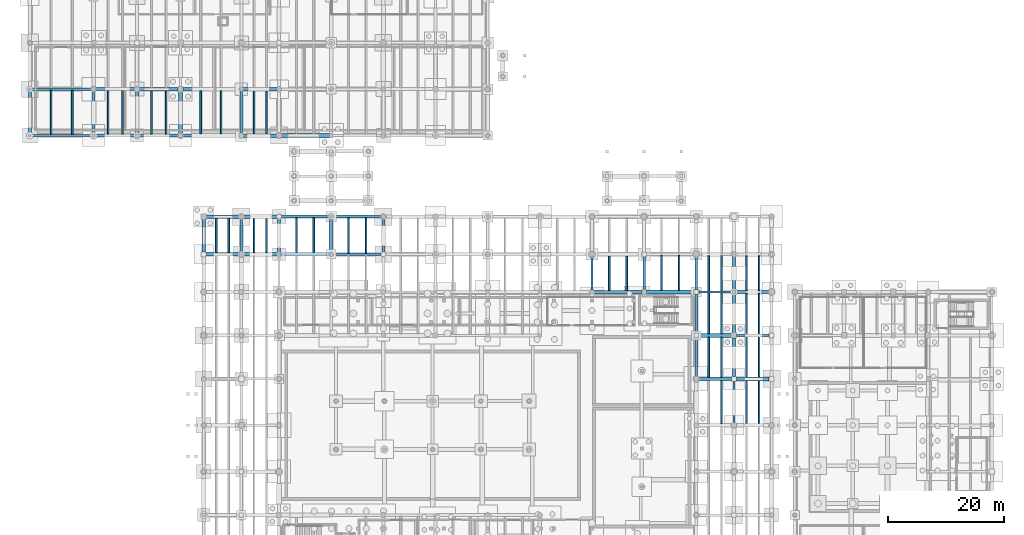
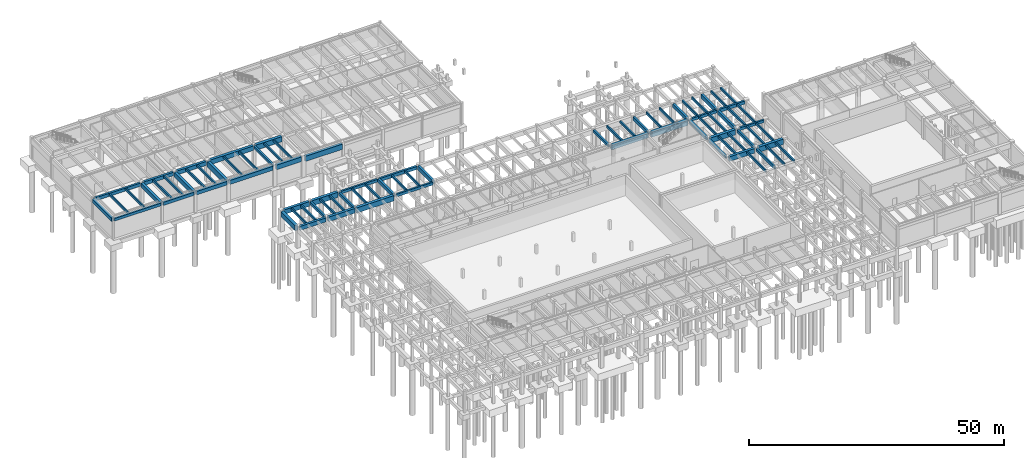
# One storey, part 23 of 36: 83 beams.
"""IFC4 building model written with IfcOpenShell, lengths in metres."""

from ifc_helpers import new_model, si_unit, direction, frame, origin, origin_2d, place, context, subcontext, project, spatial, rectangle, extrude, material, material_profile, profile_set, type_object, element, save


model = new_model("IFC4")

# Units and contexts
model_context = context("Model", 3, precision=1e-05, world=origin(), true_north=direction((0.0, 1.0)))
body_context = subcontext(model_context, "Body", "Model", "MODEL_VIEW")
ifc_project = project(units=[si_unit("LENGTHUNIT", "METRE"), si_unit("AREAUNIT", "SQUARE_METRE"), si_unit("VOLUMEUNIT", "CUBIC_METRE"), si_unit("PLANEANGLEUNIT", "RADIAN"), si_unit("MASSUNIT", "GRAM", prefix="KILO"), si_unit("THERMODYNAMICTEMPERATUREUNIT", "KELVIN"), si_unit("POWERUNIT", "WATT")], contexts=[model_context])

# Site, building, storey
site_placement = place(None, origin())
site = spatial("IfcSite", under=ifc_project, at=site_placement, CompositionType="ELEMENT")
building_placement = place(site_placement, origin())
building = spatial("IfcBuilding", under=site, at=building_placement, Name="Tepalcoro Natatorium and Aquatics Centre", CompositionType="ELEMENT")
storey_placement = place(building_placement, frame((0.0, 0.0, -5.199951171875)))
storey = spatial("IfcBuildingStorey", under=building, at=storey_placement, Name="B1", CompositionType="ELEMENT", Elevation=-5.199951171875)

# Beams
ifc_material = material(Name="Concrete C40/50 (fc 40 MPa)", Category="concrete")
ifc_material_profile_1 = material_profile(ifc_material, rectangle(XDim=0.39990234375, YDim=0.64990234375, at=origin_2d()), Name="RCB400x650")
ifc_profile_set_1 = profile_set([ifc_material_profile_1], Name="Concrete C40/50 (fc 40 MPa)")
beam_type_1 = type_object("IfcBeamType", Name="BM_RC_400x650", PredefinedType="BEAM", material=ifc_profile_set_1)
beam_1_placement = place(storey_placement, frame((131.9599609375, 51.5, 4.579833984375), z_axis=(1.0, 0.0, 0.0), x_axis=(0.0, 1.0, 0.0)))
element("IfcBeam", 1, at=beam_1_placement, inside=storey, type_object=beam_type_1, Name="V1 B1 Grid Girder X", PredefinedType="BEAM", context=body_context, shape_type="SweptSolid", body=[
    extrude(rectangle(XDim=0.39990234375, YDim=0.64990234375, at=origin_2d()), origin(), (0.0, 0.0, 1.0), 5.60498046875),
])
beam_2_placement = place(storey_placement, frame((125.43505859375, 59.0, 4.579833984375), z_axis=(1.0, 0.0, 0.0), x_axis=(0.0, 1.0, 0.0)))
element("IfcBeam", 2, at=beam_2_placement, inside=storey, type_object=beam_type_1, Name="V1 B1 Grid Girder X", PredefinedType="BEAM", context=body_context, shape_type="SweptSolid", body=[
    extrude(rectangle(XDim=0.39990234375, YDim=0.64990234375, at=origin_2d()), origin(), (0.0, 0.0, 1.0), 5.829833984375),
])
beam_3_placement = place(storey_placement, frame((62.3349609375, 65.5, 4.579833984375), z_axis=(1.0, 0.0, 0.0), x_axis=(0.0, 1.0, 0.0)))
element("IfcBeam", 3, at=beam_3_placement, inside=storey, type_object=beam_type_1, Name="V1 B1 Grid Girder X", PredefinedType="BEAM", context=body_context, shape_type="SweptSolid", body=[
    extrude(rectangle(XDim=0.39990234375, YDim=0.64990234375, at=origin_2d()), origin(), (0.0, 0.0, 1.0), 8.22998046875),
])
beam_4_placement = place(storey_placement, frame((53.284912109375, 72.0, 4.43994140625), z_axis=(1.0, 0.0, 0.0), x_axis=(0.0, 1.0, 0.0)))
element("IfcBeam", 4, at=beam_4_placement, inside=storey, type_object=beam_type_1, Name="V1 B1 Grid Girder X", PredefinedType="BEAM", context=body_context, shape_type="SweptSolid", body=[
    extrude(rectangle(XDim=0.39990234375, YDim=0.64990234375, at=origin_2d()), origin(), (0.0, 0.0, 1.0), 8.47998046875),
])
beam_5_placement = place(storey_placement, frame((46.5, 65.93505859375, 4.579833984375), z_axis=(0.0, 1.0, 0.0), x_axis=(-1.0, 0.0, 0.0)))
element("IfcBeam", 5, at=beam_5_placement, inside=storey, type_object=beam_type_1, Name="V1 B1 Grid Girder Y", PredefinedType="BEAM", context=body_context, shape_type="SweptSolid", body=[
    extrude(rectangle(XDim=0.39990234375, YDim=0.64990234375, at=origin_2d()), origin(), (0.0, 0.0, 1.0), 5.72998046875),
])
beam_6_placement = place(storey_placement, frame((107.0, 59.3349609375, 4.579833984375), z_axis=(0.0, 1.0, 0.0), x_axis=(-1.0, 0.0, 0.0)))
element("IfcBeam", 6, at=beam_6_placement, inside=storey, type_object=beam_type_1, Name="V1 B1 Grid Girder Y", PredefinedType="BEAM", context=body_context, shape_type="SweptSolid", body=[
    extrude(rectangle(XDim=0.39990234375, YDim=0.64990234375, at=origin_2d()), origin(), (0.0, 0.0, 1.0), 5.804931640625),
])
beam_7_placement = place(storey_placement, frame((125.0, 44.385009765625, 4.579833984375), z_axis=(0.0, 1.0, 0.0), x_axis=(-1.0, 0.0, 0.0)))
element("IfcBeam", 7, at=beam_7_placement, inside=storey, type_object=beam_type_1, Name="V1 B1 Grid Girder Y", PredefinedType="BEAM", context=body_context, shape_type="SweptSolid", body=[
    extrude(rectangle(XDim=0.39990234375, YDim=0.64990234375, at=origin_2d()), origin(), (0.0, 0.0, 1.0), 6.705078125),
])
beam_8_placement = place(storey_placement, frame((131.5, 36.409912109375, 4.579833984375), z_axis=(0.0, 1.0, 0.0), x_axis=(-1.0, 0.0, 0.0)))
element("IfcBeam", 8, at=beam_8_placement, inside=storey, type_object=beam_type_1, Name="V1 B1 Grid Girder Y", PredefinedType="BEAM", context=body_context, shape_type="SweptSolid", body=[
    extrude(rectangle(XDim=0.39990234375, YDim=0.64990234375, at=origin_2d()), origin(), (0.0, 0.0, 1.0), 7.155029296875),
])
beam_9_placement = place(storey_placement, frame((10.18505859375, 86.0, 4.599853515625), z_axis=(1.0, 0.0, 0.0), x_axis=(0.0, 1.0, 0.0)))
element("IfcBeam", 9, at=beam_9_placement, inside=storey, type_object=beam_type_1, Name="V4 B1 Grid Girder X", PredefinedType="BEAM", context=body_context, shape_type="SweptSolid", body=[
    extrude(rectangle(XDim=0.39990234375, YDim=0.64990234375, at=origin_2d()), origin(), (0.0, 0.0, 1.0), 10.579833984375),
])
beam_10_placement = place(storey_placement, frame((46.5, 86.385009765625, 4.599853515625), z_axis=(0.0, 1.0, 0.0), x_axis=(-1.0, 0.0, 0.0)))
element("IfcBeam", 10, at=beam_10_placement, inside=storey, type_object=beam_type_1, Name="V4 B1 Grid Girder Y", PredefinedType="BEAM", context=body_context, shape_type="SweptSolid", body=[
    extrude(rectangle(XDim=0.39990234375, YDim=0.64990234375, at=origin_2d()), origin(), (0.0, 0.0, 1.0), 7.280029296875),
])
ifc_material_profile_2 = material_profile(ifc_material, rectangle(XDim=0.449951171875, YDim=0.75, at=origin_2d()), Name="RCB450x750")
ifc_profile_set_2 = profile_set([ifc_material_profile_2], Name="Concrete C40/50 (fc 40 MPa)")
beam_type_2 = type_object("IfcBeamType", Name="BM_RC_450x750", PredefinedType="BEAM", material=ifc_profile_set_2)
beam_11_placement = place(storey_placement, frame((131.735107421875, 59.0, 4.530029296875), z_axis=(1.0, 0.0, 0.0), x_axis=(0.0, 1.0, 0.0)))
element("IfcBeam", 11, at=beam_11_placement, inside=storey, type_object=beam_type_2, Name="V1 B1 Grid Girder X", PredefinedType="BEAM", context=body_context, shape_type="SweptSolid", body=[
    extrude(rectangle(XDim=0.449951171875, YDim=0.75, at=origin_2d()), origin(), (0.0, 0.0, 1.0), 5.804931640625),
])
beam_12_placement = place(storey_placement, frame((62.235107421875, 72.0, 4.389892578125), z_axis=(1.0, 0.0, 0.0), x_axis=(0.0, 1.0, 0.0)))
element("IfcBeam", 12, at=beam_12_placement, inside=storey, type_object=beam_type_2, Name="V1 B1 Grid Girder X", PredefinedType="BEAM", context=body_context, shape_type="SweptSolid", body=[
    extrude(rectangle(XDim=0.449951171875, YDim=0.75, at=origin_2d()), origin(), (0.0, 0.0, 1.0), 8.429931640625),
])
beam_13_placement = place(storey_placement, frame((53.0, 65.735107421875, 4.530029296875), z_axis=(0.0, 1.0, 0.0), x_axis=(-1.0, 0.0, 0.0)))
element("IfcBeam", 13, at=beam_13_placement, inside=storey, type_object=beam_type_2, Name="V1 B1 Grid Girder Y", PredefinedType="BEAM", context=body_context, shape_type="SweptSolid", body=[
    extrude(rectangle(XDim=0.449951171875, YDim=0.75, at=origin_2d()), origin(), (0.0, 0.0, 1.0), 5.829833984375),
])
beam_14_placement = place(storey_placement, frame((116.0, 59.385009765625, 4.530029296875), z_axis=(0.0, 1.0, 0.0), x_axis=(-1.0, 0.0, 0.0)))
element("IfcBeam", 14, at=beam_14_placement, inside=storey, type_object=beam_type_2, Name="V1 B1 Grid Girder Y", PredefinedType="BEAM", context=body_context, shape_type="SweptSolid", body=[
    extrude(rectangle(XDim=0.449951171875, YDim=0.75, at=origin_2d()), origin(), (0.0, 0.0, 1.0), 5.705078125),
])
beam_15_placement = place(storey_placement, frame((125.0, 51.909912109375, 4.530029296875), z_axis=(0.0, 1.0, 0.0), x_axis=(-1.0, 0.0, 0.0)))
element("IfcBeam", 15, at=beam_15_placement, inside=storey, type_object=beam_type_2, Name="V1 B1 Grid Girder Y", PredefinedType="BEAM", context=body_context, shape_type="SweptSolid", body=[
    extrude(rectangle(XDim=0.449951171875, YDim=0.75, at=origin_2d()), origin(), (0.0, 0.0, 1.0), 6.655029296875),
])
beam_16_placement = place(storey_placement, frame((131.5, 44.43505859375, 4.530029296875), z_axis=(0.0, 1.0, 0.0), x_axis=(-1.0, 0.0, 0.0)))
element("IfcBeam", 16, at=beam_16_placement, inside=storey, type_object=beam_type_2, Name="V1 B1 Grid Girder Y", PredefinedType="BEAM", context=body_context, shape_type="SweptSolid", body=[
    extrude(rectangle(XDim=0.449951171875, YDim=0.75, at=origin_2d()), origin(), (0.0, 0.0, 1.0), 6.60498046875),
])
beam_17_placement = place(storey_placement, frame((21.235107421875, 86.0, 4.550048828125), z_axis=(1.0, 0.0, 0.0), x_axis=(0.0, 1.0, 0.0)))
element("IfcBeam", 17, at=beam_17_placement, inside=storey, type_object=beam_type_2, Name="V4 B1 Grid Girder X", PredefinedType="BEAM", context=body_context, shape_type="SweptSolid", body=[
    extrude(rectangle(XDim=0.449951171875, YDim=0.75, at=origin_2d()), origin(), (0.0, 0.0, 1.0), 6.97998046875),
])
beam_18_placement = place(storey_placement, frame((10.2099609375, 94.0, 4.550048828125), z_axis=(1.0, 0.0, 0.0), x_axis=(0.0, 1.0, 0.0)))
element("IfcBeam", 18, at=beam_18_placement, inside=storey, type_object=beam_type_2, Name="V4 B1 Grid Girder X", PredefinedType="BEAM", context=body_context, shape_type="SweptSolid", body=[
    extrude(rectangle(XDim=0.449951171875, YDim=0.75, at=origin_2d()), origin(), (0.0, 0.0, 1.0), 10.455078125),
])
ifc_material_profile_3 = material_profile(ifc_material, rectangle(XDim=0.5, YDim=0.85009765625, at=origin_2d()), Name="RCB500x850")
ifc_profile_set_3 = profile_set([ifc_material_profile_3], Name="Concrete C40/50 (fc 40 MPa)")
beam_type_3 = type_object("IfcBeamType", Name="BM_RC_500x850", PredefinedType="BEAM", material=ifc_profile_set_3)
beam_19_placement = place(storey_placement, frame((62.0, 65.8349609375, 4.47998046875), z_axis=(0.0, 1.0, 0.0), x_axis=(-1.0, 0.0, 0.0)))
element("IfcBeam", 19, at=beam_19_placement, inside=storey, type_object=beam_type_3, Name="V1 B1 Grid Girder Y", PredefinedType="BEAM", context=body_context, shape_type="SweptSolid", body=[
    extrude(rectangle(XDim=0.5, YDim=0.85009765625, at=origin_2d()), origin(), (0.0, 0.0, 1.0), 5.929931640625),
])
beam_20_placement = place(storey_placement, frame((125.0, 59.43505859375, 4.47998046875), z_axis=(0.0, 1.0, 0.0), x_axis=(-1.0, 0.0, 0.0)))
element("IfcBeam", 20, at=beam_20_placement, inside=storey, type_object=beam_type_3, Name="V1 B1 Grid Girder Y", PredefinedType="BEAM", context=body_context, shape_type="SweptSolid", body=[
    extrude(rectangle(XDim=0.5, YDim=0.85009765625, at=origin_2d()), origin(), (0.0, 0.0, 1.0), 5.60498046875),
])
beam_21_placement = place(storey_placement, frame((131.5, 51.9599609375, 4.47998046875), z_axis=(0.0, 1.0, 0.0), x_axis=(-1.0, 0.0, 0.0)))
element("IfcBeam", 21, at=beam_21_placement, inside=storey, type_object=beam_type_3, Name="V1 B1 Grid Girder Y", PredefinedType="BEAM", context=body_context, shape_type="SweptSolid", body=[
    extrude(rectangle(XDim=0.5, YDim=0.85009765625, at=origin_2d()), origin(), (0.0, 0.0, 1.0), 6.705078125),
])
beam_22_placement = place(storey_placement, frame((28.784912109375, 86.0, 4.5), z_axis=(1.0, 0.0, 0.0), x_axis=(0.0, 1.0, 0.0)))
element("IfcBeam", 22, at=beam_22_placement, inside=storey, type_object=beam_type_3, Name="V4 B1 Grid Girder X", PredefinedType="BEAM", context=body_context, shape_type="SweptSolid", body=[
    extrude(rectangle(XDim=0.5, YDim=0.85009765625, at=origin_2d()), origin(), (0.0, 0.0, 1.0), 6.880126953125),
])
beam_23_placement = place(storey_placement, frame((21.3349609375, 94.0, 4.5), z_axis=(1.0, 0.0, 0.0), x_axis=(0.0, 1.0, 0.0)))
element("IfcBeam", 23, at=beam_23_placement, inside=storey, type_object=beam_type_3, Name="V4 B1 Grid Girder X", PredefinedType="BEAM", context=body_context, shape_type="SweptSolid", body=[
    extrude(rectangle(XDim=0.5, YDim=0.85009765625, at=origin_2d()), origin(), (0.0, 0.0, 1.0), 6.780029296875),
])
beam_24_placement = place(storey_placement, frame((10.0, 86.18505859375, 4.5), z_axis=(0.0, 1.0, 0.0), x_axis=(-1.0, 0.0, 0.0)))
element("IfcBeam", 24, at=beam_24_placement, inside=storey, type_object=beam_type_3, Name="V4 B1 Grid Girder Y", PredefinedType="BEAM", context=body_context, shape_type="SweptSolid", body=[
    extrude(rectangle(XDim=0.5, YDim=0.85009765625, at=origin_2d()), origin(), (0.0, 0.0, 1.0), 7.60498046875),
])
ifc_material_profile_4 = material_profile(ifc_material, rectangle(XDim=0.550048828125, YDim=0.949951171875, at=origin_2d()), Name="RCB550x950")
ifc_profile_set_4 = profile_set([ifc_material_profile_4], Name="Concrete C40/50 (fc 40 MPa)")
beam_type_4 = type_object("IfcBeamType", Name="BM_RC_550x950", PredefinedType="BEAM", material=ifc_profile_set_4)
beam_25_placement = place(storey_placement, frame((40.409912109375, 65.5, 4.429931640625), z_axis=(1.0, 0.0, 0.0), x_axis=(0.0, 1.0, 0.0)))
element("IfcBeam", 25, at=beam_25_placement, inside=storey, type_object=beam_type_4, Name="V1 B1 Grid Girder X", PredefinedType="BEAM", context=body_context, shape_type="SweptSolid", body=[
    extrude(rectangle(XDim=0.550048828125, YDim=0.949951171875, at=origin_2d()), origin(), (0.0, 0.0, 1.0), 5.80517578125),
])
beam_26_placement = place(storey_placement, frame((71.0, 65.93505859375, 4.429931640625), z_axis=(0.0, 1.0, 0.0), x_axis=(-1.0, 0.0, 0.0)))
element("IfcBeam", 26, at=beam_26_placement, inside=storey, type_object=beam_type_4, Name="V1 B1 Grid Girder Y", PredefinedType="BEAM", context=body_context, shape_type="SweptSolid", body=[
    extrude(rectangle(XDim=0.550048828125, YDim=0.949951171875, at=origin_2d()), origin(), (0.0, 0.0, 1.0), 5.72998046875),
])
beam_27_placement = place(storey_placement, frame((131.5, 59.3349609375, 4.429931640625), z_axis=(0.0, 1.0, 0.0), x_axis=(-1.0, 0.0, 0.0)))
element("IfcBeam", 27, at=beam_27_placement, inside=storey, type_object=beam_type_4, Name="V1 B1 Grid Girder Y", PredefinedType="BEAM", context=body_context, shape_type="SweptSolid", body=[
    extrude(rectangle(XDim=0.550048828125, YDim=0.949951171875, at=origin_2d()), origin(), (0.0, 0.0, 1.0), 5.780029296875),
])
beam_28_placement = place(storey_placement, frame((36.3349609375, 86.0, 4.449951171875), z_axis=(1.0, 0.0, 0.0), x_axis=(0.0, 1.0, 0.0)))
element("IfcBeam", 28, at=beam_28_placement, inside=storey, type_object=beam_type_4, Name="V4 B1 Grid Girder X", PredefinedType="BEAM", context=body_context, shape_type="SweptSolid", body=[
    extrude(rectangle(XDim=0.550048828125, YDim=0.949951171875, at=origin_2d()), origin(), (0.0, 0.0, 1.0), 9.780029296875),
])
beam_29_placement = place(storey_placement, frame((28.885009765625, 94.0, 4.449951171875), z_axis=(1.0, 0.0, 0.0), x_axis=(0.0, 1.0, 0.0)))
element("IfcBeam", 29, at=beam_29_placement, inside=storey, type_object=beam_type_4, Name="V4 B1 Grid Girder X", PredefinedType="BEAM", context=body_context, shape_type="SweptSolid", body=[
    extrude(rectangle(XDim=0.550048828125, YDim=0.949951171875, at=origin_2d()), origin(), (0.0, 0.0, 1.0), 6.679931640625),
])
beam_30_placement = place(storey_placement, frame((21.0, 86.235107421875, 4.449951171875), z_axis=(0.0, 1.0, 0.0), x_axis=(-1.0, 0.0, 0.0)))
element("IfcBeam", 30, at=beam_30_placement, inside=storey, type_object=beam_type_4, Name="V4 B1 Grid Girder Y", PredefinedType="BEAM", context=body_context, shape_type="SweptSolid", body=[
    extrude(rectangle(XDim=0.550048828125, YDim=0.949951171875, at=origin_2d()), origin(), (0.0, 0.0, 1.0), 7.429931640625),
])
ifc_material_profile_5 = material_profile(ifc_material, rectangle(XDim=0.60009765625, YDim=1.10009765625, at=origin_2d()), Name="RCB600x1100")
ifc_profile_set_5 = profile_set([ifc_material_profile_5], Name="Concrete C40/50 (fc 40 MPa)")
beam_type_5 = type_object("IfcBeamType", Name="BM_RC_600x1100", PredefinedType="BEAM", material=ifc_profile_set_5)
beam_31_placement = place(storey_placement, frame((125.385009765625, 44.0, 4.35498046875), z_axis=(1.0, 0.0, 0.0), x_axis=(0.0, 1.0, 0.0)))
element("IfcBeam", 31, at=beam_31_placement, inside=storey, type_object=beam_type_5, Name="V1 B1 Grid Girder X", PredefinedType="BEAM", context=body_context, shape_type="SweptSolid", body=[
    extrude(rectangle(XDim=0.60009765625, YDim=1.10009765625, at=origin_2d()), origin(), (0.0, 0.0, 1.0), 5.679931640625),
])
beam_32_placement = place(storey_placement, frame((107.3349609375, 59.0, 4.35498046875), z_axis=(1.0, 0.0, 0.0), x_axis=(0.0, 1.0, 0.0)))
element("IfcBeam", 32, at=beam_32_placement, inside=storey, type_object=beam_type_5, Name="V1 B1 Grid Girder X", PredefinedType="BEAM", context=body_context, shape_type="SweptSolid", body=[
    extrude(rectangle(XDim=0.60009765625, YDim=1.10009765625, at=origin_2d()), origin(), (0.0, 0.0, 1.0), 8.280029296875),
])
beam_33_placement = place(storey_placement, frame((46.784912109375, 65.5, 4.35498046875), z_axis=(1.0, 0.0, 0.0), x_axis=(0.0, 1.0, 0.0)))
element("IfcBeam", 33, at=beam_33_placement, inside=storey, type_object=beam_type_5, Name="V1 B1 Grid Girder X", PredefinedType="BEAM", context=body_context, shape_type="SweptSolid", body=[
    extrude(rectangle(XDim=0.60009765625, YDim=1.10009765625, at=origin_2d()), origin(), (0.0, 0.0, 1.0), 5.97998046875),
])
beam_34_placement = place(storey_placement, frame((40.43505859375, 72.0, 4.35498046875), z_axis=(1.0, 0.0, 0.0), x_axis=(0.0, 1.0, 0.0)))
element("IfcBeam", 34, at=beam_34_placement, inside=storey, type_object=beam_type_5, Name="V1 B1 Grid Girder X", PredefinedType="BEAM", context=body_context, shape_type="SweptSolid", body=[
    extrude(rectangle(XDim=0.60009765625, YDim=1.10009765625, at=origin_2d()), origin(), (0.0, 0.0, 1.0), 5.829833984375),
])
beam_35_placement = place(storey_placement, frame((46.885009765625, 86.0, 4.375), z_axis=(1.0, 0.0, 0.0), x_axis=(0.0, 1.0, 0.0)))
element("IfcBeam", 35, at=beam_35_placement, inside=storey, type_object=beam_type_5, Name="V4 B1 Grid Girder X", PredefinedType="BEAM", context=body_context, shape_type="SweptSolid", body=[
    extrude(rectangle(XDim=0.60009765625, YDim=1.10009765625, at=origin_2d()), origin(), (0.0, 0.0, 1.0), 5.679931640625),
])
beam_36_placement = place(storey_placement, frame((36.43505859375, 94.0, 4.375), z_axis=(1.0, 0.0, 0.0), x_axis=(0.0, 1.0, 0.0)))
element("IfcBeam", 36, at=beam_36_placement, inside=storey, type_object=beam_type_5, Name="V4 B1 Grid Girder X", PredefinedType="BEAM", context=body_context, shape_type="SweptSolid", body=[
    extrude(rectangle(XDim=0.60009765625, YDim=1.10009765625, at=origin_2d()), origin(), (0.0, 0.0, 1.0), 9.829833984375),
])
beam_37_placement = place(storey_placement, frame((28.5, 86.284912109375, 4.375), z_axis=(0.0, 1.0, 0.0), x_axis=(-1.0, 0.0, 0.0)))
element("IfcBeam", 37, at=beam_37_placement, inside=storey, type_object=beam_type_5, Name="V4 B1 Grid Girder Y", PredefinedType="BEAM", context=body_context, shape_type="SweptSolid", body=[
    extrude(rectangle(XDim=0.60009765625, YDim=1.10009765625, at=origin_2d()), origin(), (0.0, 0.0, 1.0), 7.330078125),
])
ifc_material_profile_6 = material_profile(ifc_material, rectangle(XDim=0.64990234375, YDim=1.25, at=origin_2d()), Name="RCB650x1250")
ifc_profile_set_6 = profile_set([ifc_material_profile_6], Name="Concrete C40/50 (fc 40 MPa)")
beam_type_6 = type_object("IfcBeamType", Name="BM_RC_650x1250", PredefinedType="BEAM", material=ifc_profile_set_6)
beam_38_placement = place(storey_placement, frame((131.93505859375, 44.0, 4.280029296875), z_axis=(1.0, 0.0, 0.0), x_axis=(0.0, 1.0, 0.0)))
element("IfcBeam", 38, at=beam_38_placement, inside=storey, type_object=beam_type_6, Name="V1 B1 Grid Girder X", PredefinedType="BEAM", context=body_context, shape_type="SweptSolid", body=[
    extrude(rectangle(XDim=0.64990234375, YDim=1.25, at=origin_2d()), origin(), (0.0, 0.0, 1.0), 5.655029296875),
])
beam_39_placement = place(storey_placement, frame((125.409912109375, 51.5, 4.280029296875), z_axis=(1.0, 0.0, 0.0), x_axis=(0.0, 1.0, 0.0)))
element("IfcBeam", 39, at=beam_39_placement, inside=storey, type_object=beam_type_6, Name="V1 B1 Grid Girder X", PredefinedType="BEAM", context=body_context, shape_type="SweptSolid", body=[
    extrude(rectangle(XDim=0.64990234375, YDim=1.25, at=origin_2d()), origin(), (0.0, 0.0, 1.0), 5.630126953125),
])
beam_40_placement = place(storey_placement, frame((116.385009765625, 59.0, 4.280029296875), z_axis=(1.0, 0.0, 0.0), x_axis=(0.0, 1.0, 0.0)))
element("IfcBeam", 40, at=beam_40_placement, inside=storey, type_object=beam_type_6, Name="V1 B1 Grid Girder X", PredefinedType="BEAM", context=body_context, shape_type="SweptSolid", body=[
    extrude(rectangle(XDim=0.64990234375, YDim=1.25, at=origin_2d()), origin(), (0.0, 0.0, 1.0), 8.179931640625),
])
beam_41_placement = place(storey_placement, frame((53.235107421875, 65.5, 4.280029296875), z_axis=(1.0, 0.0, 0.0), x_axis=(0.0, 1.0, 0.0)))
element("IfcBeam", 41, at=beam_41_placement, inside=storey, type_object=beam_type_6, Name="V1 B1 Grid Girder X", PredefinedType="BEAM", context=body_context, shape_type="SweptSolid", body=[
    extrude(rectangle(XDim=0.64990234375, YDim=1.25, at=origin_2d()), origin(), (0.0, 0.0, 1.0), 8.429931640625),
])
beam_42_placement = place(storey_placement, frame((46.735107421875, 72.0, 4.280029296875), z_axis=(1.0, 0.0, 0.0), x_axis=(0.0, 1.0, 0.0)))
element("IfcBeam", 42, at=beam_42_placement, inside=storey, type_object=beam_type_6, Name="V1 B1 Grid Girder X", PredefinedType="BEAM", context=body_context, shape_type="SweptSolid", body=[
    extrude(rectangle(XDim=0.64990234375, YDim=1.25, at=origin_2d()), origin(), (0.0, 0.0, 1.0), 5.97998046875),
])
beam_43_placement = place(storey_placement, frame((40.0, 65.909912109375, 4.280029296875), z_axis=(0.0, 1.0, 0.0), x_axis=(-1.0, 0.0, 0.0)))
element("IfcBeam", 43, at=beam_43_placement, inside=storey, type_object=beam_type_6, Name="V1 B1 Grid Girder Y", PredefinedType="BEAM", context=body_context, shape_type="SweptSolid", body=[
    extrude(rectangle(XDim=0.64990234375, YDim=1.25, at=origin_2d()), origin(), (0.0, 0.0, 1.0), 5.655029296875),
])
beam_44_placement = place(storey_placement, frame((53.43505859375, 86.0, 4.139892578125), z_axis=(1.0, 0.0, 0.0), x_axis=(0.0, 1.0, 0.0)))
element("IfcBeam", 44, at=beam_44_placement, inside=storey, type_object=beam_type_6, Name="V4 B1 Grid Girder X", PredefinedType="BEAM", context=body_context, shape_type="SweptSolid", body=[
    extrude(rectangle(XDim=0.64990234375, YDim=1.25, at=origin_2d()), origin(), (0.0, 0.0, 1.0), 8.329833984375),
])
beam_45_placement = place(storey_placement, frame((46.735107421875, 94.0, 4.300048828125), z_axis=(1.0, 0.0, 0.0), x_axis=(0.0, 1.0, 0.0)))
element("IfcBeam", 45, at=beam_45_placement, inside=storey, type_object=beam_type_6, Name="V4 B1 Grid Girder X", PredefinedType="BEAM", context=body_context, shape_type="SweptSolid", body=[
    extrude(rectangle(XDim=0.64990234375, YDim=1.25, at=origin_2d()), origin(), (0.0, 0.0, 1.0), 5.97998046875),
])
beam_46_placement = place(storey_placement, frame((36.0, 86.3349609375, 4.300048828125), z_axis=(0.0, 1.0, 0.0), x_axis=(-1.0, 0.0, 0.0)))
element("IfcBeam", 46, at=beam_46_placement, inside=storey, type_object=beam_type_6, Name="V4 B1 Grid Girder Y", PredefinedType="BEAM", context=body_context, shape_type="SweptSolid", body=[
    extrude(rectangle(XDim=0.64990234375, YDim=1.25, at=origin_2d()), origin(), (0.0, 0.0, 1.0), 7.22998046875),
])
ifc_material_profile_7 = material_profile(ifc_material, rectangle(XDim=0.300048828125, YDim=0.550048828125, at=origin_2d()), Name="RCJ300x550")
ifc_profile_set_7 = profile_set([ifc_material_profile_7], Name="Concrete C40/50 (fc 40 MPa)")
beam_type_7 = type_object("IfcBeamType", Name="JS_RC_300x550", PredefinedType="JOIST", material=ifc_profile_set_7)
for number, where, z_axis, x_axis, name in (
    (47, (42.166748046875, 65.77490234375, 4.6298828125), (0.0, 1.0, 0.0), (-1.0, 0.0, 0.0), "V1 B1 Floor Joist"),
    (48, (44.333251953125, 65.77490234375, 4.6298828125), (0.0, 1.0, 0.0), (-1.0, 0.0, 0.0), "V1 B1 Floor Joist"),
):
    element("IfcBeam", number, at=place(storey_placement, frame(where, z_axis=z_axis, x_axis=x_axis)), inside=storey, type_object=beam_type_7, Name=name, PredefinedType="JOIST", context=body_context, shape_type="SweptSolid", body=[
        extrude(rectangle(XDim=0.300048828125, YDim=0.550048828125, at=origin_2d()), origin(), (0.0, 0.0, 1.0), 5.925048828125),
    ])
for number, where, z_axis, x_axis, name in (
    (49, (48.666748046875, 65.800048828125, 4.6298828125), (0.0, 1.0, 0.0), (-1.0, 0.0, 0.0), "V1 B1 Floor Joist"),
    (50, (50.833251953125, 65.800048828125, 4.6298828125), (0.0, 1.0, 0.0), (-1.0, 0.0, 0.0), "V1 B1 Floor Joist"),
):
    element("IfcBeam", number, at=place(storey_placement, frame(where, z_axis=z_axis, x_axis=x_axis)), inside=storey, type_object=beam_type_7, Name=name, PredefinedType="JOIST", context=body_context, shape_type="SweptSolid", body=[
        extrude(rectangle(XDim=0.300048828125, YDim=0.550048828125, at=origin_2d()), origin(), (0.0, 0.0, 1.0), 5.875),
    ])
for number, where, z_axis, x_axis, name in (
    (51, (56.0, 65.824951171875, 4.489990234375), (0.0, 1.0, 0.0), (-1.0, 0.0, 0.0), "V1 B1 Floor Joist"),
    (52, (59.0, 65.824951171875, 4.489990234375), (0.0, 1.0, 0.0), (-1.0, 0.0, 0.0), "V1 B1 Floor Joist"),
):
    element("IfcBeam", number, at=place(storey_placement, frame(where, z_axis=z_axis, x_axis=x_axis)), inside=storey, type_object=beam_type_7, Name=name, PredefinedType="JOIST", context=body_context, shape_type="SweptSolid", body=[
        extrude(rectangle(XDim=0.300048828125, YDim=0.550048828125, at=origin_2d()), origin(), (0.0, 0.0, 1.0), 5.97509765625),
    ])
for number, where, z_axis, x_axis, name in (
    (53, (65.0, 65.699951171875, 4.489990234375), (0.0, 1.0, 0.0), (-1.0, 0.0, 0.0), "V1 B1 Floor Joist"),
    (54, (68.0, 65.699951171875, 4.489990234375), (0.0, 1.0, 0.0), (-1.0, 0.0, 0.0), "V1 B1 Floor Joist"),
):
    element("IfcBeam", number, at=place(storey_placement, frame(where, z_axis=z_axis, x_axis=x_axis)), inside=storey, type_object=beam_type_7, Name=name, PredefinedType="JOIST", context=body_context, shape_type="SweptSolid", body=[
        extrude(rectangle(XDim=0.300048828125, YDim=0.550048828125, at=origin_2d()), origin(), (0.0, 0.0, 1.0), 6.074951171875),
    ])
for number, where, z_axis, x_axis, name in (
    (55, (110.0, 59.300048828125, 4.6298828125), (0.0, 1.0, 0.0), (-1.0, 0.0, 0.0), "V1 B1 Floor Joist"),
    (56, (113.0, 59.300048828125, 4.6298828125), (0.0, 1.0, 0.0), (-1.0, 0.0, 0.0), "V1 B1 Floor Joist"),
):
    element("IfcBeam", number, at=place(storey_placement, frame(where, z_axis=z_axis, x_axis=x_axis)), inside=storey, type_object=beam_type_7, Name=name, PredefinedType="JOIST", context=body_context, shape_type="SweptSolid", body=[
        extrude(rectangle(XDim=0.300048828125, YDim=0.550048828125, at=origin_2d()), origin(), (0.0, 0.0, 1.0), 5.875),
    ])
for number, where, z_axis, x_axis, name in (
    (57, (119.0, 59.324951171875, 4.6298828125), (0.0, 1.0, 0.0), (-1.0, 0.0, 0.0), "V1 B1 Floor Joist"),
    (58, (122.0, 59.324951171875, 4.6298828125), (0.0, 1.0, 0.0), (-1.0, 0.0, 0.0), "V1 B1 Floor Joist"),
):
    element("IfcBeam", number, at=place(storey_placement, frame(where, z_axis=z_axis, x_axis=x_axis)), inside=storey, type_object=beam_type_7, Name=name, PredefinedType="JOIST", context=body_context, shape_type="SweptSolid", body=[
        extrude(rectangle(XDim=0.300048828125, YDim=0.550048828125, at=origin_2d()), origin(), (0.0, 0.0, 1.0), 5.97509765625),
    ])
beam_47_placement = place(storey_placement, frame((129.333251953125, 36.27490234375, 4.6298828125), z_axis=(0.0, 1.0, 0.0), x_axis=(-1.0, 0.0, 0.0)))
element("IfcBeam", 59, at=beam_47_placement, inside=storey, type_object=beam_type_7, Name="V1 B1 Floor Joist", PredefinedType="JOIST", context=body_context, shape_type="SweptSolid", body=[
    extrude(rectangle(XDim=0.300048828125, YDim=0.550048828125, at=origin_2d()), origin(), (0.0, 0.0, 1.0), 7.425048828125),
])
for number, where, z_axis, x_axis, name in (
    (60, (127.166748046875, 44.300048828125, 4.6298828125), (0.0, 1.0, 0.0), (-1.0, 0.0, 0.0), "V1 B1 Floor Joist"),
    (61, (129.333251953125, 44.300048828125, 4.6298828125), (0.0, 1.0, 0.0), (-1.0, 0.0, 0.0), "V1 B1 Floor Joist"),
):
    element("IfcBeam", number, at=place(storey_placement, frame(where, z_axis=z_axis, x_axis=x_axis)), inside=storey, type_object=beam_type_7, Name=name, PredefinedType="JOIST", context=body_context, shape_type="SweptSolid", body=[
        extrude(rectangle(XDim=0.300048828125, YDim=0.550048828125, at=origin_2d()), origin(), (0.0, 0.0, 1.0), 6.875),
    ])
for number, where, z_axis, x_axis, name in (
    (62, (127.166748046875, 51.824951171875, 4.6298828125), (0.0, 1.0, 0.0), (-1.0, 0.0, 0.0), "V1 B1 Floor Joist"),
    (63, (129.333251953125, 51.824951171875, 4.6298828125), (0.0, 1.0, 0.0), (-1.0, 0.0, 0.0), "V1 B1 Floor Joist"),
):
    element("IfcBeam", number, at=place(storey_placement, frame(where, z_axis=z_axis, x_axis=x_axis)), inside=storey, type_object=beam_type_7, Name=name, PredefinedType="JOIST", context=body_context, shape_type="SweptSolid", body=[
        extrude(rectangle(XDim=0.300048828125, YDim=0.550048828125, at=origin_2d()), origin(), (0.0, 0.0, 1.0), 6.97509765625),
    ])
for number, where, z_axis, x_axis, name in (
    (64, (127.166748046875, 59.199951171875, 4.6298828125), (0.0, 1.0, 0.0), (-1.0, 0.0, 0.0), "V1 B1 Floor Joist"),
    (65, (129.333251953125, 59.199951171875, 4.6298828125), (0.0, 1.0, 0.0), (-1.0, 0.0, 0.0), "V1 B1 Floor Joist"),
):
    element("IfcBeam", number, at=place(storey_placement, frame(where, z_axis=z_axis, x_axis=x_axis)), inside=storey, type_object=beam_type_7, Name=name, PredefinedType="JOIST", context=body_context, shape_type="SweptSolid", body=[
        extrude(rectangle(XDim=0.300048828125, YDim=0.550048828125, at=origin_2d()), origin(), (0.0, 0.0, 1.0), 6.074951171875),
    ])
for number, where, z_axis, x_axis, name in (
    (66, (133.666748046875, 36.300048828125, 4.6298828125), (0.0, 1.0, 0.0), (-1.0, 0.0, 0.0), "V1 B1 Floor Joist"),
    (67, (135.833251953125, 36.300048828125, 4.6298828125), (0.0, 1.0, 0.0), (-1.0, 0.0, 0.0), "V1 B1 Floor Joist"),
):
    element("IfcBeam", number, at=place(storey_placement, frame(where, z_axis=z_axis, x_axis=x_axis)), inside=storey, type_object=beam_type_7, Name=name, PredefinedType="JOIST", context=body_context, shape_type="SweptSolid", body=[
        extrude(rectangle(XDim=0.300048828125, YDim=0.550048828125, at=origin_2d()), origin(), (0.0, 0.0, 1.0), 7.375),
    ])
for number, where, z_axis, x_axis, name in (
    (68, (133.666748046875, 44.324951171875, 4.6298828125), (0.0, 1.0, 0.0), (-1.0, 0.0, 0.0), "V1 B1 Floor Joist"),
    (69, (135.833251953125, 44.324951171875, 4.6298828125), (0.0, 1.0, 0.0), (-1.0, 0.0, 0.0), "V1 B1 Floor Joist"),
):
    element("IfcBeam", number, at=place(storey_placement, frame(where, z_axis=z_axis, x_axis=x_axis)), inside=storey, type_object=beam_type_7, Name=name, PredefinedType="JOIST", context=body_context, shape_type="SweptSolid", body=[
        extrude(rectangle(XDim=0.300048828125, YDim=0.550048828125, at=origin_2d()), origin(), (0.0, 0.0, 1.0), 6.97509765625),
    ])
for number, where, z_axis, x_axis, name in (
    (70, (133.666748046875, 51.699951171875, 4.6298828125), (0.0, 1.0, 0.0), (-1.0, 0.0, 0.0), "V1 B1 Floor Joist"),
    (71, (135.833251953125, 51.699951171875, 4.6298828125), (0.0, 1.0, 0.0), (-1.0, 0.0, 0.0), "V1 B1 Floor Joist"),
):
    element("IfcBeam", number, at=place(storey_placement, frame(where, z_axis=z_axis, x_axis=x_axis)), inside=storey, type_object=beam_type_7, Name=name, PredefinedType="JOIST", context=body_context, shape_type="SweptSolid", body=[
        extrude(rectangle(XDim=0.300048828125, YDim=0.550048828125, at=origin_2d()), origin(), (0.0, 0.0, 1.0), 7.074951171875),
    ])
for number, where, z_axis, x_axis, name in (
    (72, (133.666748046875, 59.22509765625, 4.6298828125), (0.0, 1.0, 0.0), (-1.0, 0.0, 0.0), "V1 B1 Floor Joist"),
    (73, (135.833251953125, 59.22509765625, 4.6298828125), (0.0, 1.0, 0.0), (-1.0, 0.0, 0.0), "V1 B1 Floor Joist"),
):
    element("IfcBeam", number, at=place(storey_placement, frame(where, z_axis=z_axis, x_axis=x_axis)), inside=storey, type_object=beam_type_7, Name=name, PredefinedType="JOIST", context=body_context, shape_type="SweptSolid", body=[
        extrude(rectangle(XDim=0.300048828125, YDim=0.550048828125, at=origin_2d()), origin(), (0.0, 0.0, 1.0), 6.02490234375),
    ])
for number, where, z_axis, x_axis, name in (
    (74, (13.666748046875, 86.199951171875, 4.64990234375), (0.0, 1.0, 0.0), (-1.0, 0.0, 0.0), "V4 B1 Floor Joist"),
    (75, (17.333251953125, 86.199951171875, 4.64990234375), (0.0, 1.0, 0.0), (-1.0, 0.0, 0.0), "V4 B1 Floor Joist"),
):
    element("IfcBeam", number, at=place(storey_placement, frame(where, z_axis=z_axis, x_axis=x_axis)), inside=storey, type_object=beam_type_7, Name=name, PredefinedType="JOIST", context=body_context, shape_type="SweptSolid", body=[
        extrude(rectangle(XDim=0.300048828125, YDim=0.550048828125, at=origin_2d()), origin(), (0.0, 0.0, 1.0), 7.574951171875),
    ])
for number, where, z_axis, x_axis, name in (
    (76, (23.5, 86.22509765625, 4.64990234375), (0.0, 1.0, 0.0), (-1.0, 0.0, 0.0), "V4 B1 Floor Joist"),
    (77, (26.0, 86.22509765625, 4.64990234375), (0.0, 1.0, 0.0), (-1.0, 0.0, 0.0), "V4 B1 Floor Joist"),
):
    element("IfcBeam", number, at=place(storey_placement, frame(where, z_axis=z_axis, x_axis=x_axis)), inside=storey, type_object=beam_type_7, Name=name, PredefinedType="JOIST", context=body_context, shape_type="SweptSolid", body=[
        extrude(rectangle(XDim=0.300048828125, YDim=0.550048828125, at=origin_2d()), origin(), (0.0, 0.0, 1.0), 7.52490234375),
    ])
for number, where, z_axis, x_axis, name in (
    (78, (31.0, 86.25, 4.64990234375), (0.0, 1.0, 0.0), (-1.0, 0.0, 0.0), "V4 B1 Floor Joist"),
    (79, (33.5, 86.25, 4.64990234375), (0.0, 1.0, 0.0), (-1.0, 0.0, 0.0), "V4 B1 Floor Joist"),
):
    element("IfcBeam", number, at=place(storey_placement, frame(where, z_axis=z_axis, x_axis=x_axis)), inside=storey, type_object=beam_type_7, Name=name, PredefinedType="JOIST", context=body_context, shape_type="SweptSolid", body=[
        extrude(rectangle(XDim=0.300048828125, YDim=0.550048828125, at=origin_2d()), origin(), (0.0, 0.0, 1.0), 7.47509765625),
    ])
for number, where, z_axis, x_axis, name in (
    (80, (39.5, 86.27490234375, 4.64990234375), (0.0, 1.0, 0.0), (-1.0, 0.0, 0.0), "V4 B1 Floor Joist"),
    (81, (43.0, 86.27490234375, 4.64990234375), (0.0, 1.0, 0.0), (-1.0, 0.0, 0.0), "V4 B1 Floor Joist"),
):
    element("IfcBeam", number, at=place(storey_placement, frame(where, z_axis=z_axis, x_axis=x_axis)), inside=storey, type_object=beam_type_7, Name=name, PredefinedType="JOIST", context=body_context, shape_type="SweptSolid", body=[
        extrude(rectangle(XDim=0.300048828125, YDim=0.550048828125, at=origin_2d()), origin(), (0.0, 0.0, 1.0), 7.425048828125),
    ])
for number, where, z_axis, x_axis, name in (
    (82, (48.666748046875, 86.300048828125, 4.64990234375), (0.0, 1.0, 0.0), (-1.0, 0.0, 0.0), "V4 B1 Floor Joist"),
    (83, (50.833251953125, 86.300048828125, 4.64990234375), (0.0, 1.0, 0.0), (-1.0, 0.0, 0.0), "V4 B1 Floor Joist"),
):
    element("IfcBeam", number, at=place(storey_placement, frame(where, z_axis=z_axis, x_axis=x_axis)), inside=storey, type_object=beam_type_7, Name=name, PredefinedType="JOIST", context=body_context, shape_type="SweptSolid", body=[
        extrude(rectangle(XDim=0.300048828125, YDim=0.550048828125, at=origin_2d()), origin(), (0.0, 0.0, 1.0), 7.375),
    ])

save(model, "model.ifc")
